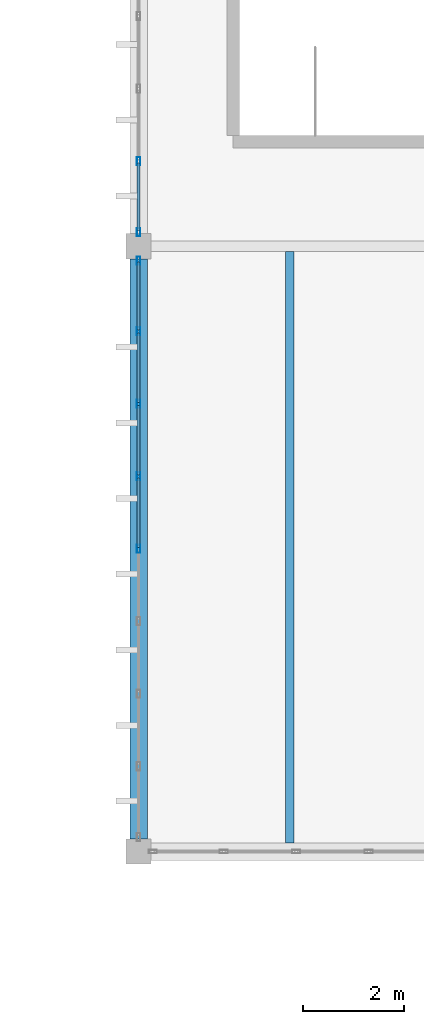
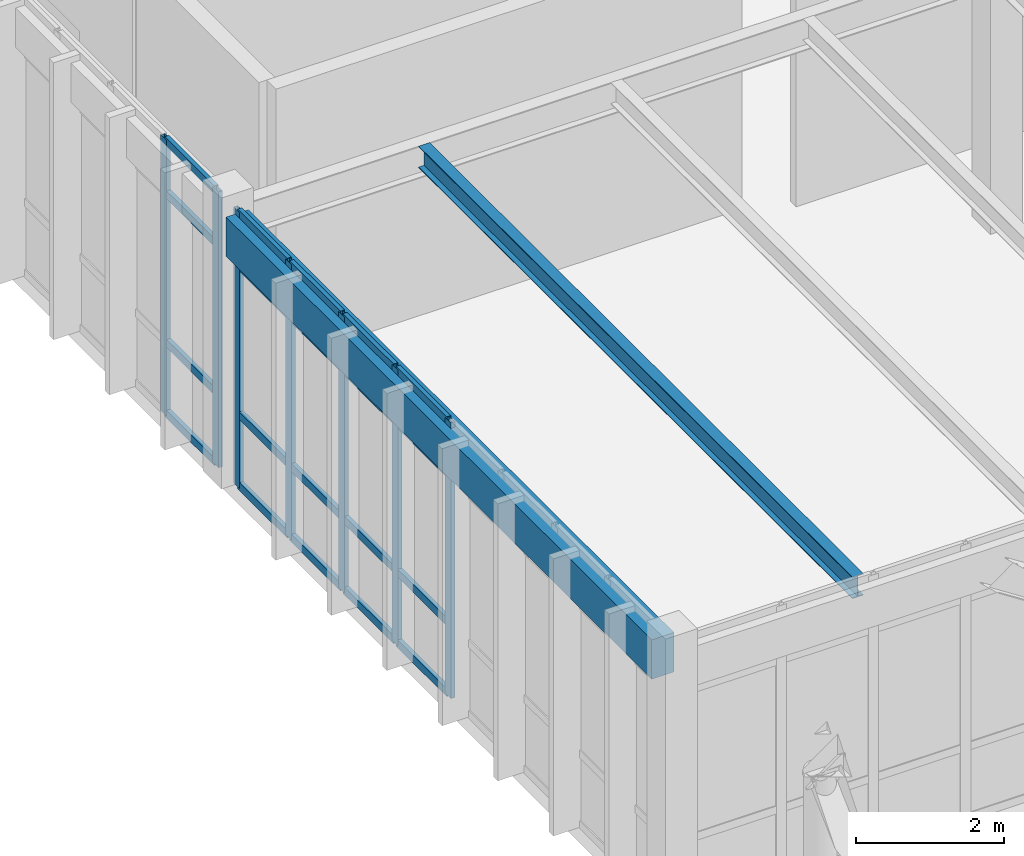
# One storey, part 74 of 236: 27 members, 2 beams, 2 elements without a shape of their own.
"""IFC4 building model written with IfcOpenShell, lengths in metres."""

from ifc_helpers import new_model, si_unit, direction, frame, origin, origin_2d, place, context, subcontext, project, spatial, rectangle, hollow_rectangle, i_section, extrude, material, layer, layer_set, material_profile, profile_set, type_object, element, aggregate, save


model = new_model("IFC4")

# Units and contexts
model_context = context("Model", 3, precision=1e-05, world=origin(), true_north=direction((0.0, 1.0)))
body_context = subcontext(model_context, "Body", "Model", "MODEL_VIEW")
ifc_project = project(units=[si_unit("LENGTHUNIT", "METRE"), si_unit("AREAUNIT", "SQUARE_METRE"), si_unit("VOLUMEUNIT", "CUBIC_METRE"), si_unit("PLANEANGLEUNIT", "RADIAN"), si_unit("MASSUNIT", "GRAM", prefix="KILO")], contexts=[model_context])

# Site, building, storey
site_placement = place(None, origin())
site = spatial("IfcSite", under=ifc_project, at=site_placement, CompositionType="ELEMENT")
building_placement = place(site_placement, origin())
building = spatial("IfcBuilding", under=site, at=building_placement, Name="Pandanus Reach Market Hall", CompositionType="ELEMENT")
storey_placement = place(building_placement, frame((0.0, 0.0, 5.39990234375)))
storey = spatial("IfcBuildingStorey", under=building, at=storey_placement, Name="L01", CompositionType="ELEMENT", Elevation=5.39990234375)

# Beam
ifc_material_1 = material(Name="Concrete N40 (40 MPa)", Category="concrete")
ifc_material_profile_1 = material_profile(ifc_material_1, rectangle(XDim=0.35009765625, YDim=0.64990234375, at=origin_2d()), Name="RC350x650", Category="LoadBearing")
ifc_profile_set_1 = profile_set([ifc_material_profile_1], Name="Concrete N40 (40 MPa)")
beam_type_1 = type_object("IfcBeamType", Name="BM-RC350-E", PredefinedType="SPANDREL", material=ifc_profile_set_1)
beam_1_placement = place(storey_placement, frame((60.0, 96.248046875, 4.135009765625), z_axis=(0.0, 1.0, 0.0), x_axis=(-1.0, 0.0, 0.0)))
element("IfcBeam", 1, at=beam_1_placement, inside=storey, type_object=beam_type_1, Name="Framing beam BM-RC350-E L01.869", PredefinedType="SPANDREL", context=body_context, shape_type="SweptSolid", body=[
    extrude(rectangle(XDim=0.35009765625, YDim=0.64990234375, at=origin_2d()), origin(), (0.0, 0.0, 1.0), 11.50390625),
])

# Curtain wall, members
ifc_material_2 = material(Name="Bronze anodised aluminium and low-E glass", Category="aluminium")
ifc_layer = layer(ifc_material_2, 0.159912109375, Name="CW-38")
ifc_layer_set = layer_set([ifc_layer], Name="Bronze anodised aluminium and low-E glass")
curtain_wall_type = type_object("IfcCurtainWallType", Name="CW-38", PredefinedType="NOTDEFINED", material=ifc_layer_set)
curtain_wall_1_placement = place(storey_placement, origin())
curtain_wall_1 = element("IfcCurtainWall", 2, at=curtain_wall_1_placement, inside=storey, type_object=curtain_wall_type, Name="Glazed curtain wall CW-38 CW-0148", PredefinedType="NOTDEFINED")
ifc_material_3 = material(Name="Bronze anodised aluminium", Category="aluminium")
ifc_material_profile_2 = material_profile(ifc_material_3, hollow_rectangle(XDim=0.06494140625, YDim=0.159912109375, WallThickness=0.00390625, at=origin_2d()), Name="ALU65x160", Category="LoadBearing")
ifc_profile_set_2 = profile_set([ifc_material_profile_2], Name="Bronze anodised aluminium")
member_type_1 = type_object("IfcMemberType", Name="CW-M1", PredefinedType="MULLION", material=ifc_profile_set_2)
member_1_placement = place(storey_placement, frame((60.0, 102.0, 0.0), z_axis=(0.0, 0.0, 1.0), x_axis=(-1.0, 0.0, 0.0)))
member_1 = element("IfcMember", 3, at=member_1_placement, type_object=member_type_1, Name="CW-38 mullion 5", PredefinedType="MULLION", context=body_context, shape_type="SweptSolid", body=[
    extrude(hollow_rectangle(XDim=0.06494140625, YDim=0.159912109375, WallThickness=0.00390625, at=origin_2d()), origin(), (0.0, 0.0, 1.0), 4.550048828125),
])
member_2_placement = place(storey_placement, frame((60.0, 103.4375, 0.0), z_axis=(0.0, 0.0, 1.0), x_axis=(-1.0, 0.0, 0.0)))
member_2 = element("IfcMember", 4, at=member_2_placement, type_object=member_type_1, Name="CW-38 mullion 6", PredefinedType="MULLION", context=body_context, shape_type="SweptSolid", body=[
    extrude(hollow_rectangle(XDim=0.06494140625, YDim=0.159912109375, WallThickness=0.00390625, at=origin_2d()), origin(), (0.0, 0.0, 1.0), 4.550048828125),
])
member_3_placement = place(storey_placement, frame((60.0, 104.875, 0.0), z_axis=(0.0, 0.0, 1.0), x_axis=(-1.0, 0.0, 0.0)))
member_3 = element("IfcMember", 5, at=member_3_placement, type_object=member_type_1, Name="CW-38 mullion 7", PredefinedType="MULLION", context=body_context, shape_type="SweptSolid", body=[
    extrude(hollow_rectangle(XDim=0.06494140625, YDim=0.159912109375, WallThickness=0.00390625, at=origin_2d()), origin(), (0.0, 0.0, 1.0), 4.550048828125),
])
member_4_placement = place(storey_placement, frame((60.0, 106.3125, 0.0), z_axis=(0.0, 0.0, 1.0), x_axis=(-1.0, 0.0, 0.0)))
member_4 = element("IfcMember", 6, at=member_4_placement, type_object=member_type_1, Name="CW-38 mullion 8", PredefinedType="MULLION", context=body_context, shape_type="SweptSolid", body=[
    extrude(hollow_rectangle(XDim=0.06494140625, YDim=0.159912109375, WallThickness=0.00390625, at=origin_2d()), origin(), (0.0, 0.0, 1.0), 4.550048828125),
])
member_5_placement = place(storey_placement, frame((60.0, 107.717529296875, 0.0), z_axis=(0.0, 0.0, 1.0), x_axis=(-1.0, 0.0, 0.0)))
member_5 = element("IfcMember", 7, at=member_5_placement, type_object=member_type_1, Name="CW-38 mullion 9", PredefinedType="MULLION", context=body_context, shape_type="SweptSolid", body=[
    extrude(hollow_rectangle(XDim=0.06494140625, YDim=0.159912109375, WallThickness=0.00390625, at=origin_2d()), origin(), (0.0, 0.0, 1.0), 4.550048828125),
])

curtain_wall_2_placement = place(storey_placement, origin())
curtain_wall_2 = element("IfcCurtainWall", 8, at=curtain_wall_2_placement, inside=storey, type_object=curtain_wall_type, Name="Glazed curtain wall CW-38 CW-0151", PredefinedType="NOTDEFINED")
member_6_placement = place(storey_placement, frame((60.0, 108.282470703125, 0.0), z_axis=(0.0, 0.0, 1.0), x_axis=(-1.0, 0.0, 0.0)))
member_6 = element("IfcMember", 9, at=member_6_placement, type_object=member_type_1, Name="CW-38 mullion 1", PredefinedType="MULLION", context=body_context, shape_type="SweptSolid", body=[
    extrude(hollow_rectangle(XDim=0.06494140625, YDim=0.159912109375, WallThickness=0.00390625, at=origin_2d()), origin(), (0.0, 0.0, 1.0), 4.550048828125),
])
member_7_placement = place(storey_placement, frame((60.0, 109.6875, 0.0), z_axis=(0.0, 0.0, 1.0), x_axis=(-1.0, 0.0, 0.0)))
member_7 = element("IfcMember", 10, at=member_7_placement, type_object=member_type_1, Name="CW-38 mullion 2", PredefinedType="MULLION", context=body_context, shape_type="SweptSolid", body=[
    extrude(hollow_rectangle(XDim=0.06494140625, YDim=0.159912109375, WallThickness=0.00390625, at=origin_2d()), origin(), (0.0, 0.0, 1.0), 4.550048828125),
])

# Member
ifc_material_profile_3 = material_profile(ifc_material_3, hollow_rectangle(XDim=0.06494140625, YDim=0.1298828125, WallThickness=0.00390625, at=origin_2d()), Name="ALU65x130", Category="LoadBearing")
ifc_profile_set_3 = profile_set([ifc_material_profile_3], Name="Bronze anodised aluminium")
member_type_2 = type_object("IfcMemberType", Name="CW-T1", PredefinedType="USERDEFINED", material=ifc_profile_set_3)
member_8_placement = place(storey_placement, frame((60.0, 102.032470703125, 0.03271484375), z_axis=(0.0, 1.0, 0.0), x_axis=(-1.0, 0.0, 0.0)))
member_8 = element("IfcMember", 11, at=member_8_placement, type_object=member_type_2, Name="CW-38 transom 5.1", ObjectType="TRANSOM", PredefinedType="USERDEFINED", context=body_context, shape_type="SweptSolid", body=[
    extrude(hollow_rectangle(XDim=0.06494140625, YDim=0.1298828125, WallThickness=0.00390625, at=origin_2d()), origin(), (0.0, 0.0, 1.0), 1.37255859375),
])

member_9_placement = place(storey_placement, frame((60.0, 102.032470703125, 1.2001953125), z_axis=(0.0, 1.0, 0.0), x_axis=(-1.0, 0.0, 0.0)))
member_9 = element("IfcMember", 12, at=member_9_placement, type_object=member_type_2, Name="CW-38 transom 5.2", ObjectType="TRANSOM", PredefinedType="USERDEFINED", context=body_context, shape_type="SweptSolid", body=[
    extrude(hollow_rectangle(XDim=0.06494140625, YDim=0.1298828125, WallThickness=0.00390625, at=origin_2d()), origin(), (0.0, 0.0, 1.0), 1.37255859375),
])

member_10_placement = place(storey_placement, frame((60.0, 102.032470703125, 3.650146484375), z_axis=(0.0, 1.0, 0.0), x_axis=(-1.0, 0.0, 0.0)))
member_10 = element("IfcMember", 13, at=member_10_placement, type_object=member_type_2, Name="CW-38 transom 5.3", ObjectType="TRANSOM", PredefinedType="USERDEFINED", context=body_context, shape_type="SweptSolid", body=[
    extrude(hollow_rectangle(XDim=0.06494140625, YDim=0.1298828125, WallThickness=0.00390625, at=origin_2d()), origin(), (0.0, 0.0, 1.0), 1.37255859375),
])

member_11_placement = place(storey_placement, frame((60.0, 102.032470703125, 4.517578125), z_axis=(0.0, 1.0, 0.0), x_axis=(-1.0, 0.0, 0.0)))
member_11 = element("IfcMember", 14, at=member_11_placement, type_object=member_type_2, Name="CW-38 transom 5.4", ObjectType="TRANSOM", PredefinedType="USERDEFINED", context=body_context, shape_type="SweptSolid", body=[
    extrude(hollow_rectangle(XDim=0.06494140625, YDim=0.1298828125, WallThickness=0.00390625, at=origin_2d()), origin(), (0.0, 0.0, 1.0), 1.37255859375),
])

member_12_placement = place(storey_placement, frame((60.0, 103.469970703125, 0.03271484375), z_axis=(0.0, 1.0, 0.0), x_axis=(-1.0, 0.0, 0.0)))
member_12 = element("IfcMember", 15, at=member_12_placement, type_object=member_type_2, Name="CW-38 transom 6.1", ObjectType="TRANSOM", PredefinedType="USERDEFINED", context=body_context, shape_type="SweptSolid", body=[
    extrude(hollow_rectangle(XDim=0.06494140625, YDim=0.1298828125, WallThickness=0.00390625, at=origin_2d()), origin(), (0.0, 0.0, 1.0), 1.37255859375),
])

member_13_placement = place(storey_placement, frame((60.0, 103.469970703125, 1.2001953125), z_axis=(0.0, 1.0, 0.0), x_axis=(-1.0, 0.0, 0.0)))
member_13 = element("IfcMember", 16, at=member_13_placement, type_object=member_type_2, Name="CW-38 transom 6.2", ObjectType="TRANSOM", PredefinedType="USERDEFINED", context=body_context, shape_type="SweptSolid", body=[
    extrude(hollow_rectangle(XDim=0.06494140625, YDim=0.1298828125, WallThickness=0.00390625, at=origin_2d()), origin(), (0.0, 0.0, 1.0), 1.37255859375),
])

member_14_placement = place(storey_placement, frame((60.0, 103.469970703125, 3.650146484375), z_axis=(0.0, 1.0, 0.0), x_axis=(-1.0, 0.0, 0.0)))
member_14 = element("IfcMember", 17, at=member_14_placement, type_object=member_type_2, Name="CW-38 transom 6.3", ObjectType="TRANSOM", PredefinedType="USERDEFINED", context=body_context, shape_type="SweptSolid", body=[
    extrude(hollow_rectangle(XDim=0.06494140625, YDim=0.1298828125, WallThickness=0.00390625, at=origin_2d()), origin(), (0.0, 0.0, 1.0), 1.37255859375),
])

member_15_placement = place(storey_placement, frame((60.0, 103.469970703125, 4.517578125), z_axis=(0.0, 1.0, 0.0), x_axis=(-1.0, 0.0, 0.0)))
member_15 = element("IfcMember", 18, at=member_15_placement, type_object=member_type_2, Name="CW-38 transom 6.4", ObjectType="TRANSOM", PredefinedType="USERDEFINED", context=body_context, shape_type="SweptSolid", body=[
    extrude(hollow_rectangle(XDim=0.06494140625, YDim=0.1298828125, WallThickness=0.00390625, at=origin_2d()), origin(), (0.0, 0.0, 1.0), 1.37255859375),
])

member_16_placement = place(storey_placement, frame((60.0, 104.907470703125, 0.03271484375), z_axis=(0.0, 1.0, 0.0), x_axis=(-1.0, 0.0, 0.0)))
member_16 = element("IfcMember", 19, at=member_16_placement, type_object=member_type_2, Name="CW-38 transom 7.1", ObjectType="TRANSOM", PredefinedType="USERDEFINED", context=body_context, shape_type="SweptSolid", body=[
    extrude(hollow_rectangle(XDim=0.06494140625, YDim=0.1298828125, WallThickness=0.00390625, at=origin_2d()), origin(), (0.0, 0.0, 1.0), 1.37255859375),
])

member_17_placement = place(storey_placement, frame((60.0, 104.907470703125, 1.2001953125), z_axis=(0.0, 1.0, 0.0), x_axis=(-1.0, 0.0, 0.0)))
member_17 = element("IfcMember", 20, at=member_17_placement, type_object=member_type_2, Name="CW-38 transom 7.2", ObjectType="TRANSOM", PredefinedType="USERDEFINED", context=body_context, shape_type="SweptSolid", body=[
    extrude(hollow_rectangle(XDim=0.06494140625, YDim=0.1298828125, WallThickness=0.00390625, at=origin_2d()), origin(), (0.0, 0.0, 1.0), 1.37255859375),
])

member_18_placement = place(storey_placement, frame((60.0, 104.907470703125, 3.650146484375), z_axis=(0.0, 1.0, 0.0), x_axis=(-1.0, 0.0, 0.0)))
member_18 = element("IfcMember", 21, at=member_18_placement, type_object=member_type_2, Name="CW-38 transom 7.3", ObjectType="TRANSOM", PredefinedType="USERDEFINED", context=body_context, shape_type="SweptSolid", body=[
    extrude(hollow_rectangle(XDim=0.06494140625, YDim=0.1298828125, WallThickness=0.00390625, at=origin_2d()), origin(), (0.0, 0.0, 1.0), 1.37255859375),
])

member_19_placement = place(storey_placement, frame((60.0, 104.907470703125, 4.517578125), z_axis=(0.0, 1.0, 0.0), x_axis=(-1.0, 0.0, 0.0)))
member_19 = element("IfcMember", 22, at=member_19_placement, type_object=member_type_2, Name="CW-38 transom 7.4", ObjectType="TRANSOM", PredefinedType="USERDEFINED", context=body_context, shape_type="SweptSolid", body=[
    extrude(hollow_rectangle(XDim=0.06494140625, YDim=0.1298828125, WallThickness=0.00390625, at=origin_2d()), origin(), (0.0, 0.0, 1.0), 1.37255859375),
])

member_20_placement = place(storey_placement, frame((60.0, 106.344970703125, 0.03271484375), z_axis=(0.0, 1.0, 0.0), x_axis=(-1.0, 0.0, 0.0)))
member_20 = element("IfcMember", 23, at=member_20_placement, type_object=member_type_2, Name="CW-38 transom 8.1", ObjectType="TRANSOM", PredefinedType="USERDEFINED", context=body_context, shape_type="SweptSolid", body=[
    extrude(hollow_rectangle(XDim=0.06494140625, YDim=0.1298828125, WallThickness=0.00390625, at=origin_2d()), origin(), (0.0, 0.0, 1.0), 1.340087890625),
])

member_21_placement = place(storey_placement, frame((60.0, 106.344970703125, 1.2001953125), z_axis=(0.0, 1.0, 0.0), x_axis=(-1.0, 0.0, 0.0)))
member_21 = element("IfcMember", 24, at=member_21_placement, type_object=member_type_2, Name="CW-38 transom 8.2", ObjectType="TRANSOM", PredefinedType="USERDEFINED", context=body_context, shape_type="SweptSolid", body=[
    extrude(hollow_rectangle(XDim=0.06494140625, YDim=0.1298828125, WallThickness=0.00390625, at=origin_2d()), origin(), (0.0, 0.0, 1.0), 1.340087890625),
])

member_22_placement = place(storey_placement, frame((60.0, 106.344970703125, 3.650146484375), z_axis=(0.0, 1.0, 0.0), x_axis=(-1.0, 0.0, 0.0)))
member_22 = element("IfcMember", 25, at=member_22_placement, type_object=member_type_2, Name="CW-38 transom 8.3", ObjectType="TRANSOM", PredefinedType="USERDEFINED", context=body_context, shape_type="SweptSolid", body=[
    extrude(hollow_rectangle(XDim=0.06494140625, YDim=0.1298828125, WallThickness=0.00390625, at=origin_2d()), origin(), (0.0, 0.0, 1.0), 1.340087890625),
])

member_23_placement = place(storey_placement, frame((60.0, 106.344970703125, 4.517578125), z_axis=(0.0, 1.0, 0.0), x_axis=(-1.0, 0.0, 0.0)))
member_23 = element("IfcMember", 26, at=member_23_placement, type_object=member_type_2, Name="CW-38 transom 8.4", ObjectType="TRANSOM", PredefinedType="USERDEFINED", context=body_context, shape_type="SweptSolid", body=[
    extrude(hollow_rectangle(XDim=0.06494140625, YDim=0.1298828125, WallThickness=0.00390625, at=origin_2d()), origin(), (0.0, 0.0, 1.0), 1.340087890625),
])

aggregate(curtain_wall_1, [member_1, member_2, member_3, member_4, member_5, member_8, member_9, member_10, member_11, member_12, member_13, member_14, member_15, member_16, member_17, member_18, member_19, member_20, member_21, member_22, member_23])

member_24_placement = place(storey_placement, frame((60.0, 108.31494140625, 0.03271484375), z_axis=(0.0, 1.0, 0.0), x_axis=(-1.0, 0.0, 0.0)))
member_24 = element("IfcMember", 27, at=member_24_placement, type_object=member_type_2, Name="CW-38 transom 1.1", ObjectType="TRANSOM", PredefinedType="USERDEFINED", context=body_context, shape_type="SweptSolid", body=[
    extrude(hollow_rectangle(XDim=0.06494140625, YDim=0.1298828125, WallThickness=0.00390625, at=origin_2d()), origin(), (0.0, 0.0, 1.0), 1.340087890625),
])

member_25_placement = place(storey_placement, frame((60.0, 108.31494140625, 1.2001953125), z_axis=(0.0, 1.0, 0.0), x_axis=(-1.0, 0.0, 0.0)))
member_25 = element("IfcMember", 28, at=member_25_placement, type_object=member_type_2, Name="CW-38 transom 1.2", ObjectType="TRANSOM", PredefinedType="USERDEFINED", context=body_context, shape_type="SweptSolid", body=[
    extrude(hollow_rectangle(XDim=0.06494140625, YDim=0.1298828125, WallThickness=0.00390625, at=origin_2d()), origin(), (0.0, 0.0, 1.0), 1.340087890625),
])

member_26_placement = place(storey_placement, frame((60.0, 108.31494140625, 3.650146484375), z_axis=(0.0, 1.0, 0.0), x_axis=(-1.0, 0.0, 0.0)))
member_26 = element("IfcMember", 29, at=member_26_placement, type_object=member_type_2, Name="CW-38 transom 1.3", ObjectType="TRANSOM", PredefinedType="USERDEFINED", context=body_context, shape_type="SweptSolid", body=[
    extrude(hollow_rectangle(XDim=0.06494140625, YDim=0.1298828125, WallThickness=0.00390625, at=origin_2d()), origin(), (0.0, 0.0, 1.0), 1.340087890625),
])

member_27_placement = place(storey_placement, frame((60.0, 108.31494140625, 4.517578125), z_axis=(0.0, 1.0, 0.0), x_axis=(-1.0, 0.0, 0.0)))
member_27 = element("IfcMember", 30, at=member_27_placement, type_object=member_type_2, Name="CW-38 transom 1.4", ObjectType="TRANSOM", PredefinedType="USERDEFINED", context=body_context, shape_type="SweptSolid", body=[
    extrude(hollow_rectangle(XDim=0.06494140625, YDim=0.1298828125, WallThickness=0.00390625, at=origin_2d()), origin(), (0.0, 0.0, 1.0), 1.340087890625),
])

aggregate(curtain_wall_2, [member_6, member_7, member_24, member_25, member_26, member_27])

# Beam
ifc_material_4 = material(Name="Steel Grade 350 (350 MPa)", Category="steel")
ifc_material_profile_4 = material_profile(ifc_material_4, i_section(OverallWidth=0.1708984375, OverallDepth=0.35595703125, WebThickness=0.00732421875, FlangeThickness=0.011474609375, at=origin_2d()), Name="360UB50.7", Category="LoadBearing")
ifc_profile_set_4 = profile_set([ifc_material_profile_4], Name="Steel Grade 350 (350 MPa)")
beam_type_2 = type_object("IfcBeamType", Name="JS-UB360-I", PredefinedType="JOIST", material=ifc_profile_set_4)
beam_2_placement = place(storey_placement, frame((63.0, 96.173095703125, 4.28173828125), z_axis=(0.0, 1.0, 0.0), x_axis=(-1.0, 0.0, 0.0)))
element("IfcBeam", 31, at=beam_2_placement, inside=storey, type_object=beam_type_2, Name="Secondary joist JS-UB360-I L01.885", PredefinedType="JOIST", context=body_context, shape_type="SweptSolid", body=[
    extrude(i_section(OverallWidth=0.1708984375, OverallDepth=0.35595703125, WebThickness=0.00732421875, FlangeThickness=0.011474609375, at=origin_2d()), origin(), (0.0, 0.0, 1.0), 11.724365234375),
])

save(model, "model.ifc")
